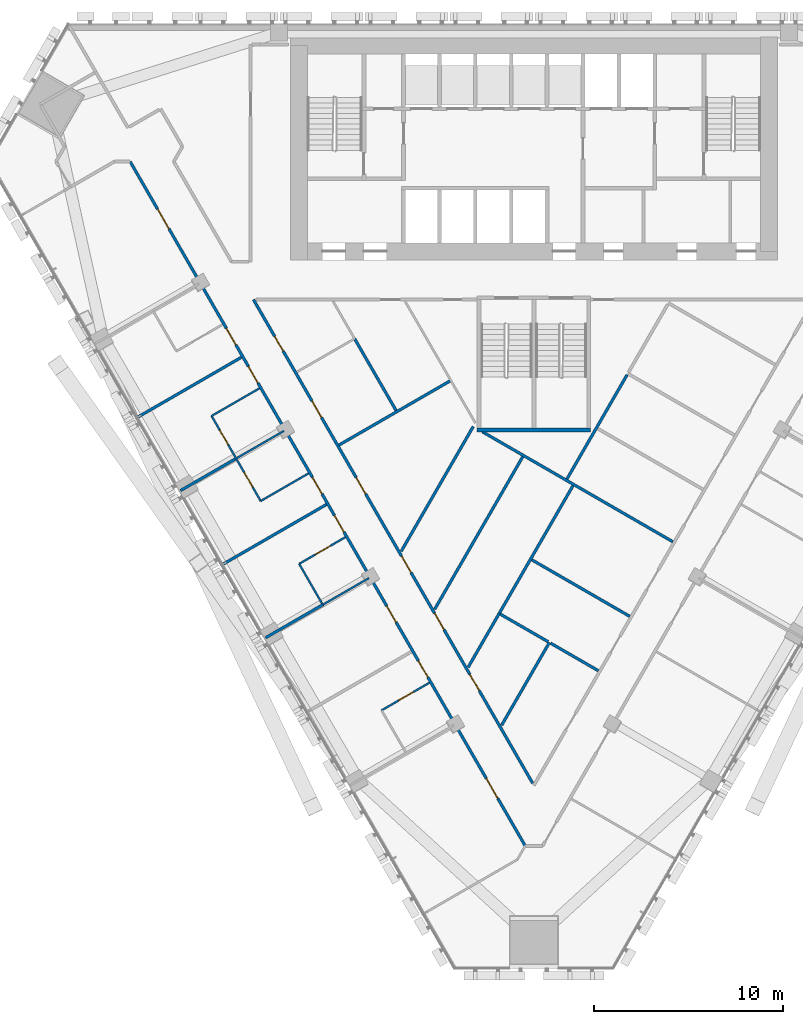
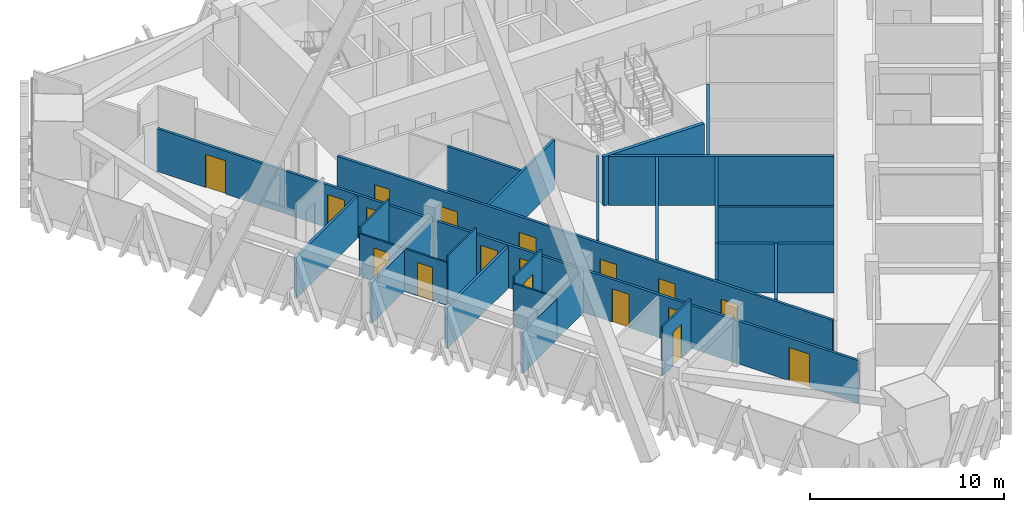
# One storey, part 16 of 23: 27 walls, 18 doors, 18 openings.
"""IFC4 building model written with IfcOpenShell, lengths in metres."""

from ifc_helpers import new_model, si_unit, direction, frame, frame_2d, origin, place, context, subcontext, project, spatial, rectangle, extrude, material, layer, layer_set, type_object, element, fill, save


model = new_model("IFC4")

# Units and contexts
model_context = context("Model", 3, precision=1e-05, world=origin(), true_north=direction((0.0, 1.0)))
body_context = subcontext(model_context, "Body", "Model", "MODEL_VIEW")
ifc_project = project(units=[si_unit("LENGTHUNIT", "METRE"), si_unit("AREAUNIT", "SQUARE_METRE"), si_unit("VOLUMEUNIT", "CUBIC_METRE"), si_unit("PLANEANGLEUNIT", "RADIAN"), si_unit("MASSUNIT", "GRAM", prefix="KILO")], contexts=[model_context])

# Site, building, storey
site_placement = place(None, origin())
site = spatial("IfcSite", under=ifc_project, at=site_placement, CompositionType="ELEMENT")
building_placement = place(site_placement, origin())
building = spatial("IfcBuilding", under=site, at=building_placement, Name="Altiplano Prism Tower", CompositionType="ELEMENT")
storey_placement = place(building_placement, frame((0.0, 0.0, 100.800048828125)))
storey = spatial("IfcBuildingStorey", under=building, at=storey_placement, Name="L25", CompositionType="ELEMENT", Elevation=100.800048828125)

# Wall, openings, doors
ifc_material_1 = material(Name="Plasterboard on steel stud", Category="steel")
ifc_layer_1 = layer(ifc_material_1, 0.10009765625)
ifc_layer_set_1 = layer_set([ifc_layer_1], Name="Plasterboard on steel stud")
wall_type_1 = type_object("IfcWallType", Name="Partition 100 unit", PredefinedType="PARTITIONING", material=ifc_layer_set_1)
wall_1_placement = place(storey_placement, frame((70.534423828125, 79.735595703125, 0.0), z_axis=(0.0, 0.0, 1.0), x_axis=(-0.500006934395, 0.866021400173, 0.0)))
wall_1 = element("IfcWall", 1, at=wall_1_placement, inside=storey, type_object=wall_type_1, Name="Partition P02 L25 051", PredefinedType="PARTITIONING", context=body_context, shape_type="SweptSolid", body=[
    extrude(rectangle(XDim=5.2001953125, YDim=0.10009765625, at=frame_2d((2.60009765625, 0.0))), origin(), (0.0, 0.0, 1.0), 2.699951171875),
])
opening_1_placement = place(wall_1_placement, frame((3.449951171875, 0.0, 0.0)))
opening_1 = element("IfcOpeningElement", 2, at=opening_1_placement, cuts=wall_1, Name="Opening D0918", PredefinedType="OPENING", context=body_context, shape_type="SweptSolid", body=[
    extrude(rectangle(XDim=0.89990234375, YDim=2.10009765625, at=frame_2d((0.449951171875, 1.050048828125))), frame((0.0, 0.060546875, 0.0), z_axis=(0.0, -1.0, 0.0), x_axis=(1.0, 0.0, 0.0)), (0.0, 0.0, 1.0), 0.12109375),
])
opening_2_placement = place(wall_1_placement, frame((0.85009765625, 0.0, 0.0)))
opening_2 = element("IfcOpeningElement", 3, at=opening_2_placement, cuts=wall_1, Name="Opening D0920", PredefinedType="OPENING", context=body_context, shape_type="SweptSolid", body=[
    extrude(rectangle(XDim=0.89990234375, YDim=2.10009765625, at=frame_2d((0.449951171875, 1.050048828125))), frame((0.0, 0.060546875, 0.0), z_axis=(0.0, -1.0, 0.0), x_axis=(1.0, 0.0, 0.0)), (0.0, 0.0, 1.0), 0.12109375),
])
ifc_material_2 = material(Name="Timber", Category="wood")
door_type_1 = type_object("IfcDoorType", Name="Ensuite door 900 x 2100", OperationType="NOTDEFINED", PredefinedType="NOTDEFINED", material=ifc_material_2)
door_1_placement = place(opening_1_placement, origin())
door_1 = element("IfcDoor", 4, at=door_1_placement, inside=storey, type_object=door_type_1, Name="Door D0918", OperationType="SINGLE_SWING_RIGHT", OverallHeight=2.10009765625, OverallWidth=0.89990234375, PredefinedType="NOTDEFINED", context=body_context, shape_type="SweptSolid", body=[
    extrude(rectangle(XDim=0.89990234375, YDim=2.10009765625, at=frame_2d((0.449951171875, 1.050048828125))), frame((0.0, 0.02490234375, 0.0), z_axis=(0.0, -1.0, 0.0), x_axis=(1.0, 0.0, 0.0)), (0.0, 0.0, 1.0), 0.050048828125),
])
fill(opening_1, door_1)
door_2_placement = place(opening_2_placement, origin())
door_2 = element("IfcDoor", 5, at=door_2_placement, inside=storey, type_object=door_type_1, Name="Door D0920", OperationType="SINGLE_SWING_RIGHT", OverallHeight=2.10009765625, OverallWidth=0.89990234375, PredefinedType="NOTDEFINED", context=body_context, shape_type="SweptSolid", body=[
    extrude(rectangle(XDim=0.89990234375, YDim=2.10009765625, at=frame_2d((0.449951171875, 1.050048828125))), frame((0.0, 0.02490234375, 0.0), z_axis=(0.0, -1.0, 0.0), x_axis=(1.0, 0.0, 0.0)), (0.0, 0.0, 1.0), 0.050048828125),
])
fill(opening_2, door_2)

# Walls
for number, where, z_axis, x_axis, name in (
    (6, (67.934326171875, 84.239013671875, 0.0), (0.0, 0.0, 1.0), (0.866046596414, 0.499963291492, 0.0), "Partition P02 L25 052"),
    (7, (73.0673828125, 81.1982421875, 0.0), (0.0, 0.0, 1.0), (-0.865989585315, -0.500062034277, 0.0), "Partition P02 L25 055"),
):
    element("IfcWall", number, at=place(storey_placement, frame(where, z_axis=z_axis, x_axis=x_axis)), inside=storey, type_object=wall_type_1, Name=name, PredefinedType="PARTITIONING", context=body_context, shape_type="SweptSolid", body=[
        extrude(rectangle(XDim=2.925048828125, YDim=0.10009765625, at=frame_2d((1.46240234375, 0.0))), origin(), (0.0, 0.0, 1.0), 3.099853515625),
    ])
wall_2_placement = place(storey_placement, frame((73.783447265625, 74.30810546875, 0.0), z_axis=(0.0, 0.0, 1.0), x_axis=(-0.499972286653, 0.866041403502, 0.0)))
element("IfcWall", 8, at=wall_2_placement, inside=storey, type_object=wall_type_1, Name="Partition P02 L25 057", PredefinedType="PARTITIONING", context=body_context, shape_type="SweptSolid", body=[
    extrude(rectangle(XDim=2.425048828125, YDim=0.10009765625, at=frame_2d((1.21240234375, 0.0))), origin(), (0.0, 0.0, 1.0), 2.699951171875),
])

# Wall, opening, door
wall_3_placement = place(storey_placement, frame((72.571044921875, 76.408203125, 0.0), z_axis=(0.0, 0.0, 1.0), x_axis=(0.866048868473, 0.499959355765, 0.0)))
wall_3 = element("IfcWall", 9, at=wall_3_placement, inside=storey, type_object=wall_type_1, Name="Partition P02 L25 058", PredefinedType="PARTITIONING", context=body_context, shape_type="SweptSolid", body=[
    extrude(rectangle(XDim=2.824951171875, YDim=0.10009765625, at=frame_2d((1.41259765625, 0.0))), origin(), (0.0, 0.0, 1.0), 3.099853515625),
])
opening_3_placement = place(wall_3_placement, frame((1.0, 0.0, 0.0)))
opening_3 = element("IfcOpeningElement", 10, at=opening_3_placement, cuts=wall_3, Name="Opening D0922", PredefinedType="OPENING", context=body_context, shape_type="SweptSolid", body=[
    extrude(rectangle(XDim=0.89990234375, YDim=2.10009765625, at=frame_2d((0.449951171875, 1.050048828125))), frame((0.0, 0.060546875, 0.0), z_axis=(0.0, -1.0, 0.0), x_axis=(1.0, 0.0, 0.0)), (0.0, 0.0, 1.0), 0.12109375),
])
door_3_placement = place(opening_3_placement, origin())
door_3 = element("IfcDoor", 11, at=door_3_placement, inside=storey, type_object=door_type_1, Name="Door D0922", OperationType="SINGLE_SWING_RIGHT", OverallHeight=2.10009765625, OverallWidth=0.89990234375, PredefinedType="NOTDEFINED", context=body_context, shape_type="SweptSolid", body=[
    extrude(rectangle(XDim=0.89990234375, YDim=2.10009765625, at=frame_2d((0.449951171875, 1.050048828125))), frame((0.0, 0.02490234375, 0.0), z_axis=(0.0, -1.0, 0.0), x_axis=(1.0, 0.0, 0.0)), (0.0, 0.0, 1.0), 0.050048828125),
])
fill(opening_3, door_3)

wall_4_placement = place(storey_placement, frame((76.934326171875, 68.650634765625, 0.0), z_axis=(0.0, 0.0, 1.0), x_axis=(0.866046596414, 0.499963291492, 0.0)))
wall_4 = element("IfcWall", 12, at=wall_4_placement, inside=storey, type_object=wall_type_1, Name="Partition P02 L25 063", PredefinedType="PARTITIONING", context=body_context, shape_type="SweptSolid", body=[
    extrude(rectangle(XDim=2.925048828125, YDim=0.10009765625, at=frame_2d((1.46240234375, 0.0))), origin(), (0.0, 0.0, 1.0), 3.099853515625),
])
opening_4_placement = place(wall_4_placement, frame((1.050048828125, 0.0, 0.0)))
opening_4 = element("IfcOpeningElement", 13, at=opening_4_placement, cuts=wall_4, Name="Opening D0925", PredefinedType="OPENING", context=body_context, shape_type="SweptSolid", body=[
    extrude(rectangle(XDim=0.89990234375, YDim=2.10009765625, at=frame_2d((0.449951171875, 1.050048828125))), frame((0.0, 0.060546875, 0.0), z_axis=(0.0, -1.0, 0.0), x_axis=(1.0, 0.0, 0.0)), (0.0, 0.0, 1.0), 0.12109375),
])
door_4_placement = place(opening_4_placement, origin())
door_4 = element("IfcDoor", 14, at=door_4_placement, inside=storey, type_object=door_type_1, Name="Door D0925", OperationType="SINGLE_SWING_LEFT", OverallHeight=2.10009765625, OverallWidth=0.89990234375, PredefinedType="NOTDEFINED", context=body_context, shape_type="SweptSolid", body=[
    extrude(rectangle(XDim=0.89990234375, YDim=2.10009765625, at=frame_2d((0.449951171875, 1.050048828125))), frame((0.0, 0.02490234375, 0.0), z_axis=(0.0, -1.0, 0.0), x_axis=(1.0, 0.0, 0.0)), (0.0, 0.0, 1.0), 0.050048828125),
])
fill(opening_4, door_4)

# Walls
ifc_layer_2 = layer(ifc_material_1, 0.10009765625)
ifc_layer_set_2 = layer_set([ifc_layer_2], Name="Plasterboard on steel stud")
wall_type_2 = type_object("IfcWallType", Name="Partition 100 wet", PredefinedType="PARTITIONING", material=ifc_layer_set_2)
wall_5_placement = place(storey_placement, frame((69.277587890625, 82.01220703125, 0.0), z_axis=(0.0, 0.0, 1.0), x_axis=(0.866039941686, 0.499974818771, 0.0)))
element("IfcWall", 15, at=wall_5_placement, inside=storey, type_object=wall_type_2, Name="Partition P03 L25 054", PredefinedType="PARTITIONING", context=body_context, shape_type="SweptSolid", body=[
    extrude(rectangle(XDim=2.875244140625, YDim=0.10009765625, at=frame_2d((1.4375, 0.0))), origin(), (0.0, 0.0, 1.0), 2.699951171875),
])
wall_6_placement = place(storey_placement, frame((73.83837890625, 74.253173828125, 0.0), z_axis=(0.0, 0.0, 1.0), x_axis=(0.866049342339, 0.499958534914, 0.0)))
element("IfcWall", 16, at=wall_6_placement, inside=storey, type_object=wall_type_2, Name="Partition P03 L25 060", PredefinedType="PARTITIONING", context=body_context, shape_type="SweptSolid", body=[
    extrude(rectangle(XDim=2.804931640625, YDim=0.10009765625, at=frame_2d((1.40234375, 0.0))), origin(), (0.0, 0.0, 1.0), 2.699951171875),
])

# Wall, openings, doors
ifc_layer_3 = layer(ifc_material_1, 0.14990234375)
ifc_layer_set_3 = layer_set([ifc_layer_3], Name="Plasterboard on steel stud")
wall_type_3 = type_object("IfcWallType", Name="Partition 150 corridor", PredefinedType="PARTITIONING", material=ifc_layer_set_3)
wall_7_placement = place(storey_placement, frame((84.93505859375, 64.79296875, 0.0), z_axis=(0.0, 0.0, 1.0), x_axis=(-0.500000245635, 0.866025261967, 0.0)))
wall_7 = element("IfcWall", 17, at=wall_7_placement, inside=storey, type_object=wall_type_3, Name="Partition P06 L25 002", PredefinedType="PARTITIONING", context=body_context, shape_type="SweptSolid", body=[
    extrude(rectangle(XDim=29.568359375, YDim=0.14990234375, at=frame_2d((14.7841796875, 0.0))), origin(), (0.0, 0.0, 1.0), 3.099853515625),
])
opening_5_placement = place(wall_7_placement, frame((26.4169921875, 0.0, 0.0)))
opening_5 = element("IfcOpeningElement", 18, at=opening_5_placement, cuts=wall_7, Name="Opening D0909", PredefinedType="OPENING", context=body_context, shape_type="SweptSolid", body=[
    extrude(rectangle(XDim=0.89990234375, YDim=2.10009765625, at=frame_2d((0.449951171875, 1.050048828125))), frame((0.0, 0.08544921875, 0.0), z_axis=(0.0, -1.0, 0.0), x_axis=(1.0, 0.0, 0.0)), (0.0, 0.0, 1.0), 0.1708984375),
])
opening_6_placement = place(wall_7_placement, frame((5.657958984375, 0.0, 0.0)))
opening_6 = element("IfcOpeningElement", 19, at=opening_6_placement, cuts=wall_7, Name="Opening D0911", PredefinedType="OPENING", context=body_context, shape_type="SweptSolid", body=[
    extrude(rectangle(XDim=1.0, YDim=2.10009765625, at=frame_2d((0.5, 1.050048828125))), frame((0.0, 0.08544921875, 0.0), z_axis=(0.0, -1.0, 0.0), x_axis=(1.0, 0.0, 0.0)), (0.0, 0.0, 1.0), 0.1708984375),
])
opening_7_placement = place(wall_7_placement, frame((9.39404296875, 0.0, 0.0)))
opening_7 = element("IfcOpeningElement", 20, at=opening_7_placement, cuts=wall_7, Name="Opening D0939", PredefinedType="OPENING", context=body_context, shape_type="SweptSolid", body=[
    extrude(rectangle(XDim=1.0, YDim=2.10009765625, at=frame_2d((0.5, 1.050048828125))), frame((0.0, 0.08544921875, 0.0), z_axis=(0.0, -1.0, 0.0), x_axis=(1.0, 0.0, 0.0)), (0.0, 0.0, 1.0), 0.1708984375),
])
opening_8_placement = place(wall_7_placement, frame((17.694091796875, 0.0, 0.0)))
opening_8 = element("IfcOpeningElement", 21, at=opening_8_placement, cuts=wall_7, Name="Opening D0940", PredefinedType="OPENING", context=body_context, shape_type="SweptSolid", body=[
    extrude(rectangle(XDim=1.0, YDim=2.10009765625, at=frame_2d((0.5, 1.050048828125))), frame((0.0, 0.08544921875, 0.0), z_axis=(0.0, -1.0, 0.0), x_axis=(1.0, 0.0, 0.0)), (0.0, 0.0, 1.0), 0.1708984375),
])
opening_9_placement = place(wall_7_placement, frame((12.884033203125, 0.0, 0.0)))
opening_9 = element("IfcOpeningElement", 22, at=opening_9_placement, cuts=wall_7, Name="Opening D0943", PredefinedType="OPENING", context=body_context, shape_type="SweptSolid", body=[
    extrude(rectangle(XDim=1.0, YDim=2.10009765625, at=frame_2d((0.5, 1.050048828125))), frame((0.0, 0.08544921875, 0.0), z_axis=(0.0, -1.0, 0.0), x_axis=(1.0, 0.0, 0.0)), (0.0, 0.0, 1.0), 0.1708984375),
])
opening_10_placement = place(wall_7_placement, frame((22.365966796875, 0.0, 0.0)))
opening_10 = element("IfcOpeningElement", 23, at=opening_10_placement, cuts=wall_7, Name="Opening D0950", PredefinedType="OPENING", context=body_context, shape_type="SweptSolid", body=[
    extrude(rectangle(XDim=1.0, YDim=2.10009765625, at=frame_2d((0.5, 1.050048828125))), frame((0.0, 0.08544921875, 0.0), z_axis=(0.0, -1.0, 0.0), x_axis=(1.0, 0.0, 0.0)), (0.0, 0.0, 1.0), 0.1708984375),
])
door_type_2 = type_object("IfcDoorType", Name="Room door 1000 x 2100", OperationType="NOTDEFINED", PredefinedType="NOTDEFINED", material=ifc_material_2)
door_5_placement = place(opening_7_placement, origin())
door_5 = element("IfcDoor", 24, at=door_5_placement, inside=storey, type_object=door_type_2, Name="Door D0939", OperationType="SINGLE_SWING_RIGHT", OverallHeight=2.10009765625, OverallWidth=1.0, PredefinedType="NOTDEFINED", context=body_context, shape_type="SweptSolid", body=[
    extrude(rectangle(XDim=1.0, YDim=2.10009765625, at=frame_2d((0.5, 1.050048828125))), frame((0.0, 0.02490234375, 0.0), z_axis=(0.0, -1.0, 0.0), x_axis=(1.0, 0.0, 0.0)), (0.0, 0.0, 1.0), 0.050048828125),
])
fill(opening_7, door_5)
door_type_3 = type_object("IfcDoorType", Name="Store door 1000 x 2100", OperationType="NOTDEFINED", PredefinedType="NOTDEFINED", material=ifc_material_2)
door_6_placement = place(opening_6_placement, origin())
door_6 = element("IfcDoor", 25, at=door_6_placement, inside=storey, type_object=door_type_3, Name="Door D0911", OperationType="SINGLE_SWING_LEFT", OverallHeight=2.10009765625, OverallWidth=1.0, PredefinedType="NOTDEFINED", context=body_context, shape_type="SweptSolid", body=[
    extrude(rectangle(XDim=1.0, YDim=2.10009765625, at=frame_2d((0.5, 1.050048828125))), frame((0.0, 0.02490234375, 0.0), z_axis=(0.0, -1.0, 0.0), x_axis=(1.0, 0.0, 0.0)), (0.0, 0.0, 1.0), 0.050048828125),
])
fill(opening_6, door_6)
door_7_placement = place(opening_8_placement, origin())
door_7 = element("IfcDoor", 26, at=door_7_placement, inside=storey, type_object=door_type_3, Name="Door D0940", OperationType="SINGLE_SWING_RIGHT", OverallHeight=2.10009765625, OverallWidth=1.0, PredefinedType="NOTDEFINED", context=body_context, shape_type="SweptSolid", body=[
    extrude(rectangle(XDim=1.0, YDim=2.10009765625, at=frame_2d((0.5, 1.050048828125))), frame((0.0, 0.02490234375, 0.0), z_axis=(0.0, -1.0, 0.0), x_axis=(1.0, 0.0, 0.0)), (0.0, 0.0, 1.0), 0.050048828125),
])
fill(opening_8, door_7)
door_8_placement = place(opening_9_placement, origin())
door_8 = element("IfcDoor", 27, at=door_8_placement, inside=storey, type_object=door_type_3, Name="Door D0943", OperationType="SINGLE_SWING_LEFT", OverallHeight=2.10009765625, OverallWidth=1.0, PredefinedType="NOTDEFINED", context=body_context, shape_type="SweptSolid", body=[
    extrude(rectangle(XDim=1.0, YDim=2.10009765625, at=frame_2d((0.5, 1.050048828125))), frame((0.0, 0.02490234375, 0.0), z_axis=(0.0, -1.0, 0.0), x_axis=(1.0, 0.0, 0.0)), (0.0, 0.0, 1.0), 0.050048828125),
])
fill(opening_9, door_8)
door_9_placement = place(opening_10_placement, origin())
door_9 = element("IfcDoor", 28, at=door_9_placement, inside=storey, type_object=door_type_3, Name="Door D0950", OperationType="SINGLE_SWING_RIGHT", OverallHeight=2.10009765625, OverallWidth=1.0, PredefinedType="NOTDEFINED", context=body_context, shape_type="SweptSolid", body=[
    extrude(rectangle(XDim=1.0, YDim=2.10009765625, at=frame_2d((0.5, 1.050048828125))), frame((0.0, 0.02490234375, 0.0), z_axis=(0.0, -1.0, 0.0), x_axis=(1.0, 0.0, 0.0)), (0.0, 0.0, 1.0), 0.050048828125),
])
fill(opening_10, door_9)
door_type_4 = type_object("IfcDoorType", Name="Toilet door 900 x 2100", OperationType="NOTDEFINED", PredefinedType="NOTDEFINED", material=ifc_material_2)
door_10_placement = place(opening_5_placement, origin())
door_10 = element("IfcDoor", 29, at=door_10_placement, inside=storey, type_object=door_type_4, Name="Door D0909", OperationType="SINGLE_SWING_LEFT", OverallHeight=2.10009765625, OverallWidth=0.89990234375, PredefinedType="NOTDEFINED", context=body_context, shape_type="SweptSolid", body=[
    extrude(rectangle(XDim=0.89990234375, YDim=2.10009765625, at=frame_2d((0.449951171875, 1.050048828125))), frame((0.0, 0.02490234375, 0.0), z_axis=(0.0, -1.0, 0.0), x_axis=(1.0, 0.0, 0.0)), (0.0, 0.0, 1.0), 0.050048828125),
])
fill(opening_5, door_10)

wall_8_placement = place(storey_placement, frame((63.623046875, 97.706298828125, 0.0), z_axis=(0.0, 0.0, 1.0), x_axis=(0.500000781663, -0.866024952491, 0.0)))
wall_8 = element("IfcWall", 30, at=wall_8_placement, inside=storey, type_object=wall_type_3, Name="Partition P06 L25 010", PredefinedType="PARTITIONING", context=body_context, shape_type="SweptSolid", body=[
    extrude(rectangle(XDim=41.83740234375, YDim=0.14990234375, at=frame_2d((20.918701171875, 0.0))), origin(), (0.0, 0.0, 1.0), 2.699951171875),
])
opening_11_placement = place(wall_8_placement, frame((2.912109375, 0.0, 0.0)))
opening_11 = element("IfcOpeningElement", 31, at=opening_11_placement, cuts=wall_8, Name="Opening D0914", PredefinedType="OPENING", context=body_context, shape_type="SweptSolid", body=[
    extrude(rectangle(XDim=1.199951171875, YDim=2.10009765625, at=frame_2d((0.60009765625, 1.050048828125))), frame((0.0, 0.08544921875, 0.0), z_axis=(0.0, -1.0, 0.0), x_axis=(1.0, 0.0, 0.0)), (0.0, 0.0, 1.0), 0.1708984375),
])
opening_12_placement = place(wall_8_placement, frame((10.197998046875, 0.0, 0.0)))
opening_12 = element("IfcOpeningElement", 32, at=opening_12_placement, cuts=wall_8, Name="Opening D0915", PredefinedType="OPENING", context=body_context, shape_type="SweptSolid", body=[
    extrude(rectangle(XDim=1.0, YDim=2.10009765625, at=frame_2d((0.5, 1.050048828125))), frame((0.0, 0.08544921875, 0.0), z_axis=(0.0, -1.0, 0.0), x_axis=(1.0, 0.0, 0.0)), (0.0, 0.0, 1.0), 0.1708984375),
])
opening_13_placement = place(wall_8_placement, frame((12.52294921875, 0.0, 0.0)))
opening_13 = element("IfcOpeningElement", 33, at=opening_13_placement, cuts=wall_8, Name="Opening D0917", PredefinedType="OPENING", context=body_context, shape_type="SweptSolid", body=[
    extrude(rectangle(XDim=1.0, YDim=2.10009765625, at=frame_2d((0.5, 1.050048828125))), frame((0.0, 0.08544921875, 0.0), z_axis=(0.0, -1.0, 0.0), x_axis=(1.0, 0.0, 0.0)), (0.0, 0.0, 1.0), 0.1708984375),
])
opening_14_placement = place(wall_8_placement, frame((19.31396484375, 0.0, 0.0)))
opening_14 = element("IfcOpeningElement", 34, at=opening_14_placement, cuts=wall_8, Name="Opening D0919", PredefinedType="OPENING", context=body_context, shape_type="SweptSolid", body=[
    extrude(rectangle(XDim=1.0, YDim=2.10009765625, at=frame_2d((0.5, 1.050048828125))), frame((0.0, 0.08544921875, 0.0), z_axis=(0.0, -1.0, 0.0), x_axis=(1.0, 0.0, 0.0)), (0.0, 0.0, 1.0), 0.1708984375),
])
opening_15_placement = place(wall_8_placement, frame((21.638916015625, 0.0, 0.0)))
opening_15 = element("IfcOpeningElement", 35, at=opening_15_placement, cuts=wall_8, Name="Opening D0921", PredefinedType="OPENING", context=body_context, shape_type="SweptSolid", body=[
    extrude(rectangle(XDim=1.0, YDim=2.10009765625, at=frame_2d((0.5, 1.050048828125))), frame((0.0, 0.08544921875, 0.0), z_axis=(0.0, -1.0, 0.0), x_axis=(1.0, 0.0, 0.0)), (0.0, 0.0, 1.0), 0.1708984375),
])
opening_16_placement = place(wall_8_placement, frame((27.1689453125, 0.0, 0.0)))
opening_16 = element("IfcOpeningElement", 36, at=opening_16_placement, cuts=wall_8, Name="Opening D0923", PredefinedType="OPENING", context=body_context, shape_type="SweptSolid", body=[
    extrude(rectangle(XDim=1.0, YDim=2.10009765625, at=frame_2d((0.5, 1.050048828125))), frame((0.0, 0.08544921875, 0.0), z_axis=(0.0, -1.0, 0.0), x_axis=(1.0, 0.0, 0.0)), (0.0, 0.0, 1.0), 0.1708984375),
])
opening_17_placement = place(wall_8_placement, frame((30.52294921875, 0.0, 0.0)))
opening_17 = element("IfcOpeningElement", 37, at=opening_17_placement, cuts=wall_8, Name="Opening D0924", PredefinedType="OPENING", context=body_context, shape_type="SweptSolid", body=[
    extrude(rectangle(XDim=1.0, YDim=2.10009765625, at=frame_2d((0.5, 1.050048828125))), frame((0.0, 0.08544921875, 0.0), z_axis=(0.0, -1.0, 0.0), x_axis=(1.0, 0.0, 0.0)), (0.0, 0.0, 1.0), 0.1708984375),
])
opening_18_placement = place(wall_8_placement, frame((37.72509765625, 0.0, 0.0)))
opening_18 = element("IfcOpeningElement", 38, at=opening_18_placement, cuts=wall_8, Name="Opening D0926", PredefinedType="OPENING", context=body_context, shape_type="SweptSolid", body=[
    extrude(rectangle(XDim=1.199951171875, YDim=2.10009765625, at=frame_2d((0.60009765625, 1.050048828125))), frame((0.0, 0.08544921875, 0.0), z_axis=(0.0, -1.0, 0.0), x_axis=(1.0, 0.0, 0.0)), (0.0, 0.0, 1.0), 0.1708984375),
])
door_type_5 = type_object("IfcDoorType", Name="Bedroom entrance door 1000 x 2100", OperationType="NOTDEFINED", PredefinedType="NOTDEFINED", material=ifc_material_2)
door_11_placement = place(opening_12_placement, origin())
door_11 = element("IfcDoor", 39, at=door_11_placement, inside=storey, type_object=door_type_5, Name="Door D0915", OperationType="SINGLE_SWING_RIGHT", OverallHeight=2.10009765625, OverallWidth=1.0, PredefinedType="NOTDEFINED", context=body_context, shape_type="SweptSolid", body=[
    extrude(rectangle(XDim=1.0, YDim=2.10009765625, at=frame_2d((0.5, 1.050048828125))), frame((0.0, 0.02490234375, 0.0), z_axis=(0.0, -1.0, 0.0), x_axis=(1.0, 0.0, 0.0)), (0.0, 0.0, 1.0), 0.050048828125),
])
fill(opening_12, door_11)
door_12_placement = place(opening_13_placement, origin())
door_12 = element("IfcDoor", 40, at=door_12_placement, inside=storey, type_object=door_type_5, Name="Door D0917", OperationType="SINGLE_SWING_LEFT", OverallHeight=2.10009765625, OverallWidth=1.0, PredefinedType="NOTDEFINED", context=body_context, shape_type="SweptSolid", body=[
    extrude(rectangle(XDim=1.0, YDim=2.10009765625, at=frame_2d((0.5, 1.050048828125))), frame((0.0, 0.02490234375, 0.0), z_axis=(0.0, -1.0, 0.0), x_axis=(1.0, 0.0, 0.0)), (0.0, 0.0, 1.0), 0.050048828125),
])
fill(opening_13, door_12)
door_13_placement = place(opening_14_placement, origin())
door_13 = element("IfcDoor", 41, at=door_13_placement, inside=storey, type_object=door_type_5, Name="Door D0919", OperationType="SINGLE_SWING_LEFT", OverallHeight=2.10009765625, OverallWidth=1.0, PredefinedType="NOTDEFINED", context=body_context, shape_type="SweptSolid", body=[
    extrude(rectangle(XDim=1.0, YDim=2.10009765625, at=frame_2d((0.5, 1.050048828125))), frame((0.0, 0.02490234375, 0.0), z_axis=(0.0, -1.0, 0.0), x_axis=(1.0, 0.0, 0.0)), (0.0, 0.0, 1.0), 0.050048828125),
])
fill(opening_14, door_13)
door_14_placement = place(opening_15_placement, origin())
door_14 = element("IfcDoor", 42, at=door_14_placement, inside=storey, type_object=door_type_5, Name="Door D0921", OperationType="SINGLE_SWING_LEFT", OverallHeight=2.10009765625, OverallWidth=1.0, PredefinedType="NOTDEFINED", context=body_context, shape_type="SweptSolid", body=[
    extrude(rectangle(XDim=1.0, YDim=2.10009765625, at=frame_2d((0.5, 1.050048828125))), frame((0.0, 0.02490234375, 0.0), z_axis=(0.0, -1.0, 0.0), x_axis=(1.0, 0.0, 0.0)), (0.0, 0.0, 1.0), 0.050048828125),
])
fill(opening_15, door_14)
door_15_placement = place(opening_17_placement, origin())
door_15 = element("IfcDoor", 43, at=door_15_placement, inside=storey, type_object=door_type_5, Name="Door D0924", OperationType="SINGLE_SWING_RIGHT", OverallHeight=2.10009765625, OverallWidth=1.0, PredefinedType="NOTDEFINED", context=body_context, shape_type="SweptSolid", body=[
    extrude(rectangle(XDim=1.0, YDim=2.10009765625, at=frame_2d((0.5, 1.050048828125))), frame((0.0, 0.02490234375, 0.0), z_axis=(0.0, -1.0, 0.0), x_axis=(1.0, 0.0, 0.0)), (0.0, 0.0, 1.0), 0.050048828125),
])
fill(opening_17, door_15)
door_16_placement = place(opening_16_placement, origin())
door_16 = element("IfcDoor", 44, at=door_16_placement, inside=storey, type_object=door_type_2, Name="Door D0923", OperationType="SINGLE_SWING_RIGHT", OverallHeight=2.10009765625, OverallWidth=1.0, PredefinedType="NOTDEFINED", context=body_context, shape_type="SweptSolid", body=[
    extrude(rectangle(XDim=1.0, YDim=2.10009765625, at=frame_2d((0.5, 1.050048828125))), frame((0.0, 0.02490234375, 0.0), z_axis=(0.0, -1.0, 0.0), x_axis=(1.0, 0.0, 0.0)), (0.0, 0.0, 1.0), 0.050048828125),
])
fill(opening_16, door_16)
door_type_6 = type_object("IfcDoorType", Name="Shared room door 1200 x 2100", OperationType="NOTDEFINED", PredefinedType="NOTDEFINED", material=ifc_material_2)
door_17_placement = place(opening_11_placement, origin())
door_17 = element("IfcDoor", 45, at=door_17_placement, inside=storey, type_object=door_type_6, Name="Door D0914", OperationType="SINGLE_SWING_LEFT", OverallHeight=2.10009765625, OverallWidth=1.199951171875, PredefinedType="NOTDEFINED", context=body_context, shape_type="SweptSolid", body=[
    extrude(rectangle(XDim=1.199951171875, YDim=2.10009765625, at=frame_2d((0.60009765625, 1.050048828125))), frame((0.0, 0.02490234375, 0.0), z_axis=(0.0, -1.0, 0.0), x_axis=(1.0, 0.0, 0.0)), (0.0, 0.0, 1.0), 0.050048828125),
])
fill(opening_11, door_17)
door_18_placement = place(opening_18_placement, origin())
door_18 = element("IfcDoor", 46, at=door_18_placement, inside=storey, type_object=door_type_6, Name="Door D0926", OperationType="SINGLE_SWING_RIGHT", OverallHeight=2.10009765625, OverallWidth=1.199951171875, PredefinedType="NOTDEFINED", context=body_context, shape_type="SweptSolid", body=[
    extrude(rectangle(XDim=1.199951171875, YDim=2.10009765625, at=frame_2d((0.60009765625, 1.050048828125))), frame((0.0, 0.02490234375, 0.0), z_axis=(0.0, -1.0, 0.0), x_axis=(1.0, 0.0, 0.0)), (0.0, 0.0, 1.0), 0.050048828125),
])
fill(opening_18, door_18)

# Walls
ifc_layer_4 = layer(ifc_material_1, 0.14990234375)
ifc_layer_set_4 = layer_set([ifc_layer_4], Name="Plasterboard on steel stud")
wall_type_4 = type_object("IfcWallType", Name="Partition 150 party", PredefinedType="PARTITIONING", material=ifc_layer_set_4)
wall_9_placement = place(storey_placement, frame((83.1728515625, 73.79736328125, 0.0), z_axis=(0.0, 0.0, 1.0), x_axis=(-0.499982354831, -0.866035590988, 0.0)))
element("IfcWall", 47, at=wall_9_placement, inside=storey, type_object=wall_type_4, Name="Partition P01 L25 040", PredefinedType="PARTITIONING", context=body_context, shape_type="SweptSolid", body=[
    extrude(rectangle(XDim=3.306640625, YDim=0.14990234375, at=frame_2d((1.6533203125, 0.0))), origin(), (0.0, 0.0, 1.0), 3.099853515625),
])
wall_10_placement = place(storey_placement, frame((85.756591796875, 72.282470703125, 0.0), z_axis=(0.0, 0.0, 1.0), x_axis=(-0.866032430508, 0.49998782916, 0.0)))
element("IfcWall", 48, at=wall_10_placement, inside=storey, type_object=wall_type_4, Name="Partition P01 L25 041", PredefinedType="PARTITIONING", context=body_context, shape_type="SweptSolid", body=[
    extrude(rectangle(XDim=2.919921875, YDim=0.14990234375, at=frame_2d((1.4599609375, 0.0))), origin(), (0.0, 0.0, 1.0), 3.099853515625),
])
wall_11_placement = place(storey_placement, frame((83.2919921875, 67.86376953125, 0.0), z_axis=(0.0, 0.0, 1.0), x_axis=(0.49999536978, 0.866028077027, 0.0)))
element("IfcWall", 49, at=wall_11_placement, inside=storey, type_object=wall_type_4, Name="Partition P01 L25 042", PredefinedType="PARTITIONING", context=body_context, shape_type="SweptSolid", body=[
    extrude(rectangle(XDim=5.05908203125, YDim=0.14990234375, at=frame_2d((2.529541015625, 0.0))), origin(), (0.0, 0.0, 1.0), 3.099853515625),
])
wall_12_placement = place(storey_placement, frame((64.0224609375, 84.17431640625, 0.0), z_axis=(0.0, 0.0, 1.0), x_axis=(0.866025401434, 0.500000004071, 0.0)))
element("IfcWall", 50, at=wall_12_placement, inside=storey, type_object=wall_type_4, Name="Partition P01 L25 050", PredefinedType="PARTITIONING", context=body_context, shape_type="SweptSolid", body=[
    extrude(rectangle(XDim=6.34521484375, YDim=0.14990234375, at=frame_2d((3.172607421875, 0.0))), origin(), (0.0, 0.0, 1.0), 2.599853515625),
])
wall_13_placement = place(storey_placement, frame((66.289794921875, 80.287353515625, 0.0), z_axis=(0.0, 0.0, 1.0), x_axis=(0.866032680314, 0.499987396469, 0.0)))
element("IfcWall", 51, at=wall_13_placement, inside=storey, type_object=wall_type_4, Name="Partition P01 L25 053", PredefinedType="PARTITIONING", context=body_context, shape_type="SweptSolid", body=[
    extrude(rectangle(XDim=3.35009765625, YDim=0.14990234375, at=frame_2d((1.675048828125, 0.0))), origin(), (0.0, 0.0, 1.0), 2.599853515625),
])
wall_14_placement = place(storey_placement, frame((68.5224609375, 76.380126953125, 0.0), z_axis=(0.0, 0.0, 1.0), x_axis=(0.866025401434, 0.500000004071, 0.0)))
element("IfcWall", 52, at=wall_14_placement, inside=storey, type_object=wall_type_4, Name="Partition P01 L25 056", PredefinedType="PARTITIONING", context=body_context, shape_type="SweptSolid", body=[
    extrude(rectangle(XDim=6.34521484375, YDim=0.14990234375, at=frame_2d((3.172607421875, 0.0))), origin(), (0.0, 0.0, 1.0), 2.599853515625),
])
wall_15_placement = place(storey_placement, frame((70.789794921875, 72.4931640625, 0.0), z_axis=(0.0, 0.0, 1.0), x_axis=(0.866036599697, 0.499980607609, 0.0)))
element("IfcWall", 53, at=wall_15_placement, inside=storey, type_object=wall_type_4, Name="Partition P01 L25 059", PredefinedType="PARTITIONING", context=body_context, shape_type="SweptSolid", body=[
    extrude(rectangle(XDim=3.520263671875, YDim=0.14990234375, at=frame_2d((1.76025390625, 0.0))), origin(), (0.0, 0.0, 1.0), 2.599853515625),
])
wall_16_placement = place(storey_placement, frame((83.162841796875, 73.780029296875, 0.0), z_axis=(0.0, 0.0, 1.0), x_axis=(0.500011000363, 0.866019052629, 0.0)))
element("IfcWall", 54, at=wall_16_placement, inside=storey, type_object=wall_type_4, Name="Partition P01 L25 080", PredefinedType="PARTITIONING", context=body_context, shape_type="SweptSolid", body=[
    extrude(rectangle(XDim=7.812255859375, YDim=0.14990234375, at=frame_2d((3.90625, 0.0))), origin(), (0.0, 0.0, 1.0), 3.099853515625),
])
wall_17_placement = place(storey_placement, frame((84.410400390625, 82.08056640625, 0.0), z_axis=(0.0, 0.0, 1.0), x_axis=(-0.500010229568, -0.86601949766, 0.0)))
element("IfcWall", 55, at=wall_17_placement, inside=storey, type_object=wall_type_4, Name="Partition P01 L25 081", PredefinedType="PARTITIONING", context=body_context, shape_type="SweptSolid", body=[
    extrude(rectangle(XDim=9.326416015625, YDim=0.14990234375, at=frame_2d((4.6630859375, 0.0))), origin(), (0.0, 0.0, 1.0), 3.099853515625),
])
wall_18_placement = place(storey_placement, frame((77.974853515625, 77.073486328125, 0.0), z_axis=(0.0, 0.0, 1.0), x_axis=(0.499993928037, 0.866028909405, 0.0)))
element("IfcWall", 56, at=wall_18_placement, inside=storey, type_object=wall_type_4, Name="Partition P01 L25 082", PredefinedType="PARTITIONING", context=body_context, shape_type="SweptSolid", body=[
    extrude(rectangle(XDim=7.62890625, YDim=0.14990234375, at=frame_2d((3.814453125, 0.0))), origin(), (0.0, 0.0, 1.0), 3.099853515625),
])
wall_19_placement = place(storey_placement, frame((80.55859375, 86.09130859375, 0.0), z_axis=(0.0, 0.0, 1.0), x_axis=(-0.866024378873, -0.500001775195, 0.0)))
element("IfcWall", 57, at=wall_19_placement, inside=storey, type_object=wall_type_4, Name="Partition P01 L25 083", PredefinedType="PARTITIONING", context=body_context, shape_type="SweptSolid", body=[
    extrude(rectangle(XDim=6.7841796875, YDim=0.14990234375, at=frame_2d((3.39208984375, 0.0))), origin(), (0.0, 0.0, 1.0), 3.099853515625),
])
wall_20_placement = place(storey_placement, frame((92.359619140625, 77.57763671875, 0.0), z_axis=(0.0, 0.0, 1.0), x_axis=(-0.866025678131, 0.499999524817, 0.0)))
element("IfcWall", 58, at=wall_20_placement, inside=storey, type_object=wall_type_4, Name="Partition P01 L25 086", PredefinedType="PARTITIONING", context=body_context, shape_type="SweptSolid", body=[
    extrude(rectangle(XDim=11.64453125, YDim=0.14990234375, at=frame_2d((5.822265625, 0.0))), origin(), (0.0, 0.0, 1.0), 3.099853515625),
])
wall_21_placement = place(storey_placement, frame((84.89013671875, 76.62158203125, 0.0), z_axis=(0.0, 0.0, 1.0), x_axis=(0.866030178321, -0.499991730169, 0.0)))
element("IfcWall", 59, at=wall_21_placement, inside=storey, type_object=wall_type_4, Name="Partition P01 L25 087", PredefinedType="PARTITIONING", context=body_context, shape_type="SweptSolid", body=[
    extrude(rectangle(XDim=5.99072265625, YDim=0.14990234375, at=frame_2d((2.995361328125, 0.0))), origin(), (0.0, 0.0, 1.0), 3.099853515625),
])
wall_22_placement = place(storey_placement, frame((86.75048828125, 80.90283203125, 0.0), z_axis=(0.0, 0.0, 1.0), x_axis=(0.500002302069, 0.86602407468, 0.0)))
element("IfcWall", 60, at=wall_22_placement, inside=storey, type_object=wall_type_4, Name="Partition P01 L25 088", PredefinedType="PARTITIONING", context=body_context, shape_type="SweptSolid", body=[
    extrude(rectangle(XDim=6.36865234375, YDim=0.14990234375, at=frame_2d((3.184326171875, 0.0))), origin(), (0.0, 0.0, 1.0), 3.099853515625),
])
wall_23_placement = place(storey_placement, frame((85.886474609375, 72.20751953125, 0.0), z_axis=(0.0, 0.0, 1.0), x_axis=(0.866022730501, -0.500004630234, 0.0)))
element("IfcWall", 61, at=wall_23_placement, inside=storey, type_object=wall_type_4, Name="Partition P01 L25 090", PredefinedType="PARTITIONING", context=body_context, shape_type="SweptSolid", body=[
    extrude(rectangle(XDim=2.9208984375, YDim=0.14990234375, at=frame_2d((1.46044921875, 0.0))), origin(), (0.0, 0.0, 1.0), 3.099853515625),
])
wall_24_placement = place(storey_placement, frame((75.506103515625, 88.33203125, 0.0), z_axis=(0.0, 0.0, 1.0), x_axis=(0.50001918445, -0.866014327354, 0.0)))
element("IfcWall", 62, at=wall_24_placement, inside=storey, type_object=wall_type_4, Name="Partition P01 L25 091", PredefinedType="PARTITIONING", context=body_context, shape_type="SweptSolid", body=[
    extrude(rectangle(XDim=4.391845703125, YDim=0.14990234375, at=frame_2d((2.19580078125, 0.0))), origin(), (0.0, 0.0, 1.0), 3.099853515625),
])
ifc_material_3 = material(Name="Concrete C60/75", Category="concrete")
ifc_layer_5 = layer(ifc_material_3, 0.199951171875)
ifc_layer_set_5 = layer_set([ifc_layer_5], Name="Concrete C60/75")
wall_type_5 = type_object("IfcWallType", Name="Stair wall 200", PredefinedType="SOLIDWALL", material=ifc_layer_set_5)
wall_25_placement = place(storey_placement, frame((82.0, 83.5, 0.0), z_axis=(0.0, 0.0, 1.0), x_axis=(1.0, 0.0, 0.0)))
element("IfcWall", 63, at=wall_25_placement, inside=storey, type_object=wall_type_5, Name="Stair 3 wall south L25", PredefinedType="SOLIDWALL", context=body_context, shape_type="SweptSolid", body=[
    extrude(rectangle(XDim=6.0, YDim=0.199951171875, at=frame_2d((3.0, 0.0))), origin(), (0.0, 0.0, 1.0), 3.099853515625),
])

save(model, "model.ifc")
